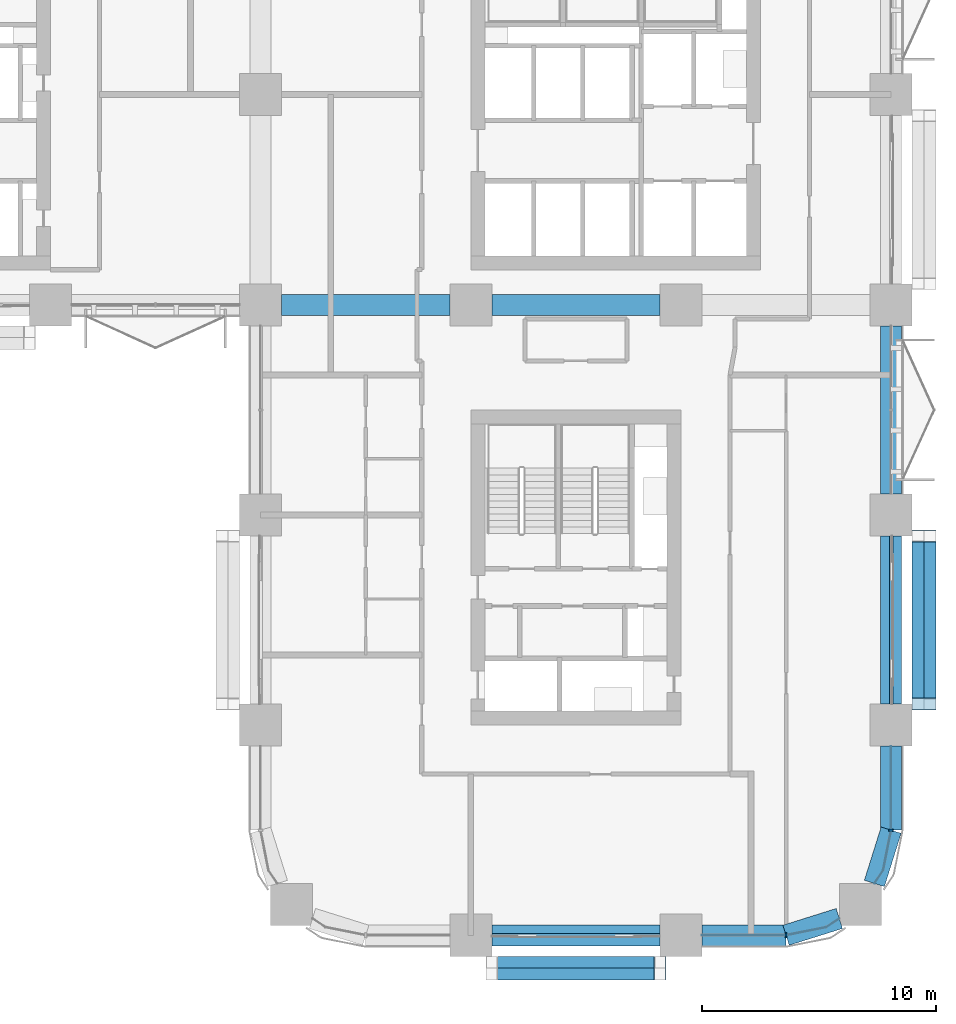
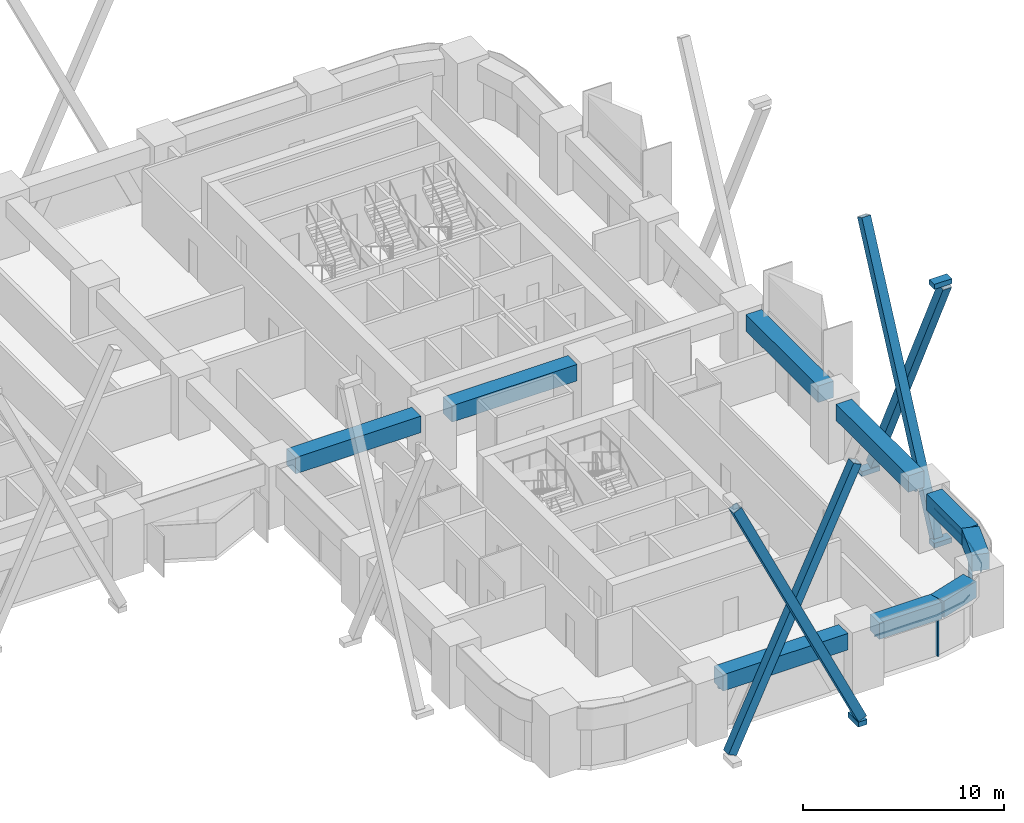
# One storey, part 4 of 19: 14 members, 9 beams, 4 elements without a shape of their own.
"""IFC4 building model written with IfcOpenShell, lengths in metres."""

from ifc_helpers import new_model, si_unit, direction, frame, origin, origin_2d, place, context, subcontext, project, spatial, polyline, rectangle, hollow_rectangle, outline, extrude, material, layer, layer_set, material_profile, profile_set, type_object, element, aggregate, save


model = new_model("IFC4")

# Units and contexts
model_context = context("Model", 3, precision=1e-05, world=origin(), true_north=direction((0.0, 1.0)))
body_context = subcontext(model_context, "Body", "Model", "MODEL_VIEW")
ifc_project = project(units=[si_unit("LENGTHUNIT", "METRE"), si_unit("AREAUNIT", "SQUARE_METRE"), si_unit("VOLUMEUNIT", "CUBIC_METRE"), si_unit("PLANEANGLEUNIT", "RADIAN"), si_unit("MASSUNIT", "GRAM", prefix="KILO")], contexts=[model_context])

# Site, building, storey
site_placement = place(None, origin())
site = spatial("IfcSite", under=ifc_project, at=site_placement, CompositionType="ELEMENT")
building_placement = place(site_placement, origin())
building = spatial("IfcBuilding", under=site, at=building_placement, Name="Tessera Arch", CompositionType="ELEMENT")
storey_placement = place(building_placement, frame((0.0, 0.0, 93.0)))
storey = spatial("IfcBuildingStorey", under=building, at=storey_placement, Name="L21", CompositionType="ELEMENT", Elevation=93.0)

# Members
ifc_material_1 = material(Name="Steel A500 Gr C", Category="steel")
ifc_material_profile_1 = material_profile(ifc_material_1, hollow_rectangle(XDim=0.508056640625, YDim=0.508056640625, WallThickness=0.0146484375, at=origin_2d()), Name="HSS20x20x5/8")
ifc_profile_set_1 = profile_set([ifc_material_profile_1], Name="Steel A500 Gr C")
member_type_1 = type_object("IfcMemberType", Name="Brace HSS20x20x5/8 Steel A500 Gr C", PredefinedType="BRACE", material=ifc_profile_set_1)
for number, where, z_axis, x_axis, name in (
    (1, (36.89990234375, -1.154052734375, -0.800048828125), (0.428096952335, 0.0, 0.903732814167), (0.0, 1.0, 0.0), "Brace S0.27-1 A L21-L24"),
    (2, (44.10009765625, -1.662109375, -0.800048828125), (-0.428096952335, 0.0, 0.903732814167), (0.0, -1.0, 0.0), "Brace S0.27-1 B L21-L24"),
    (3, (55.154052734375, 9.89990234375, -0.800048828125), (0.0, 0.428096952335, 0.903732814167), (-1.0, 0.0, 0.0), "Brace E54.0-1 A L21-L24"),
    (4, (55.662109375, 17.10009765625, -0.800048828125), (0.0, -0.428096952335, 0.903732814167), (1.0, 0.0, 0.0), "Brace E54.0-1 B L21-L24"),
):
    element("IfcMember", number, at=place(storey_placement, frame(where, z_axis=z_axis, x_axis=x_axis)), inside=storey, type_object=member_type_1, Name=name, PredefinedType="BRACE", context=body_context, shape_type="SweptSolid", body=[
        extrude(hollow_rectangle(XDim=0.508056640625, YDim=0.508056640625, WallThickness=0.0146484375, at=origin_2d()), origin(), (0.0, 0.0, 1.0), 16.819091796875),
    ])

# Curtain wall, member
ifc_material_2 = material(Name="CW2 curtain wall")
curtain_wall_type_1 = type_object("IfcCurtainWallType", Name="CW2 curtain wall", PredefinedType="NOTDEFINED", material=ifc_material_2)
curtain_wall_1_placement = place(storey_placement, origin())
curtain_wall_1 = element("IfcCurtainWall", 5, at=curtain_wall_1_placement, inside=storey, type_object=curtain_wall_type_1, Name="CW2 curtain wall S0.27/2 L21", PredefinedType="NOTDEFINED")
ifc_material_3 = material(Name="Anodised aluminium pale metal", Category="aluminium")
ifc_material_profile_2 = material_profile(ifc_material_3, rectangle(XDim=0.199951171875, YDim=0.080078125, at=origin_2d()), Name="AL 80x200")
ifc_profile_set_2 = profile_set([ifc_material_profile_2], Name="Anodised aluminium pale metal")
member_type_2 = type_object("IfcMemberType", Name="CW2 mullion", PredefinedType="MULLION", material=ifc_profile_set_2)
member_1_placement = place(storey_placement, frame((49.5, 0.0, 0.0), z_axis=(0.0, 0.0, 1.0), x_axis=(0.0, 1.0, 0.0)))
member_1 = element("IfcMember", 6, at=member_1_placement, type_object=member_type_2, Name="CW2 mullion S0.27/2 1", PredefinedType="MULLION", context=body_context, shape_type="SweptSolid", body=[
    extrude(rectangle(XDim=0.199951171875, YDim=0.080078125, at=origin_2d()), origin(), (0.0, 0.0, 1.0), 2.39990234375),
])

curtain_wall_2_placement = place(storey_placement, origin())
curtain_wall_2 = element("IfcCurtainWall", 7, at=curtain_wall_2_placement, inside=storey, type_object=curtain_wall_type_1, Name="CW2 curtain wall E54.0/0 L21", PredefinedType="NOTDEFINED")
member_2_placement = place(storey_placement, frame((54.0, 4.5, 0.0), z_axis=(0.0, 0.0, 1.0), x_axis=(-1.0, 0.0, 0.0)))
member_2 = element("IfcMember", 8, at=member_2_placement, type_object=member_type_2, Name="CW2 mullion E54.0/0 1", PredefinedType="MULLION", context=body_context, shape_type="SweptSolid", body=[
    extrude(rectangle(XDim=0.199951171875, YDim=0.080078125, at=origin_2d()), origin(), (0.0, 0.0, 1.0), 2.39990234375),
])

# Member
ifc_material_4 = material(Name="Anodised aluminium pale metal", Category="aluminium")
ifc_material_profile_3 = material_profile(ifc_material_4, rectangle(XDim=0.199951171875, YDim=0.10009765625, at=origin_2d()), Name="AL 200x100")
ifc_profile_set_3 = profile_set([ifc_material_profile_3], Name="Anodised aluminium pale metal")
member_type_3 = type_object("IfcMemberType", Name="CW2 transom", PredefinedType="USERDEFINED", material=ifc_profile_set_3)
member_3_placement = place(storey_placement, frame((0.0, 0.0, 2.39990234375)))
member_3 = element("IfcMember", 9, at=member_3_placement, type_object=member_type_3, Name="CW2 transom S0.27/2 1", ObjectType="TRANSOM", PredefinedType="USERDEFINED", context=body_context, shape_type="SweptSolid", body=[
    extrude(outline(polyline([(49.4990234375, 0.010009765625), (45.89990234375, 0.010009765625), (45.89990234375, -0.010009765625), (49.5009765625, -0.010009765625), (51.22607421875, 0.3330078125), (51.78759765625, 0.70849609375), (51.7763671875, 0.72509765625), (51.21826171875, 0.351806640625), (49.4990234375, 0.010009765625)])), origin(), (0.0, 0.0, 1.0), 0.10009765625),
])

aggregate(curtain_wall_1, [member_1, member_3])

member_4_placement = place(storey_placement, frame((0.0, 0.0, 2.39990234375)))
member_4 = element("IfcMember", 10, at=member_4_placement, type_object=member_type_3, Name="CW2 transom E54.0/0 1", ObjectType="TRANSOM", PredefinedType="USERDEFINED", context=body_context, shape_type="SweptSolid", body=[
    extrude(outline(polyline([(53.648193359375, 2.78173828125), (53.27490234375, 2.2236328125), (53.29150390625, 2.21240234375), (53.6669921875, 2.77392578125), (54.010009765625, 4.4990234375), (54.010009765625, 8.10009765625), (53.989990234375, 8.10009765625), (53.989990234375, 4.5009765625), (53.648193359375, 2.78173828125)])), origin(), (0.0, 0.0, 1.0), 0.10009765625),
])

aggregate(curtain_wall_2, [member_2, member_4])

# Curtain wall, member
ifc_material_5 = material(Name="CW3 curtain wall")
curtain_wall_type_2 = type_object("IfcCurtainWallType", Name="CW3 curtain wall", PredefinedType="NOTDEFINED", material=ifc_material_5)
curtain_wall_3_placement = place(storey_placement, origin())
curtain_wall_3 = element("IfcCurtainWall", 11, at=curtain_wall_3_placement, inside=storey, type_object=curtain_wall_type_2, Name="CW3 curtain wall S0.27/1 L21", PredefinedType="NOTDEFINED")
ifc_material_6 = material(Name="Anodised aluminium pale metal", Category="aluminium")
ifc_material_profile_4 = material_profile(ifc_material_6, rectangle(XDim=0.139892578125, YDim=0.10009765625, at=origin_2d()), Name="AL 140x100")
ifc_profile_set_4 = profile_set([ifc_material_profile_4], Name="Anodised aluminium pale metal")
member_type_4 = type_object("IfcMemberType", Name="CW3 transom", PredefinedType="USERDEFINED", material=ifc_profile_set_4)
member_5_placement = place(storey_placement, frame((36.89990234375, 0.0, 2.449951171875), z_axis=(1.0, 0.0, 0.0), x_axis=(0.0, 1.0, 0.0)))
member_5 = element("IfcMember", 12, at=member_5_placement, type_object=member_type_4, Name="CW3 transom S0.27/1 1.1", ObjectType="TRANSOM", PredefinedType="USERDEFINED", context=body_context, shape_type="SweptSolid", body=[
    extrude(rectangle(XDim=0.139892578125, YDim=0.10009765625, at=origin_2d()), origin(), (0.0, 0.0, 1.0), 7.2001953125),
])
aggregate(curtain_wall_3, [member_5])

curtain_wall_4_placement = place(storey_placement, origin())
curtain_wall_4 = element("IfcCurtainWall", 13, at=curtain_wall_4_placement, inside=storey, type_object=curtain_wall_type_2, Name="CW3 curtain wall E54.0/1 L21", PredefinedType="NOTDEFINED")
member_6_placement = place(storey_placement, frame((54.0, 9.89990234375, 2.449951171875), z_axis=(0.0, 1.0, 0.0), x_axis=(-1.0, 0.0, 0.0)))
member_6 = element("IfcMember", 14, at=member_6_placement, type_object=member_type_4, Name="CW3 transom E54.0/1 1.1", ObjectType="TRANSOM", PredefinedType="USERDEFINED", context=body_context, shape_type="SweptSolid", body=[
    extrude(rectangle(XDim=0.139892578125, YDim=0.10009765625, at=origin_2d()), origin(), (0.0, 0.0, 1.0), 7.2001953125),
])
aggregate(curtain_wall_4, [member_6])

# Members
ifc_material_7 = material(Name="Steel A572 Gr50", Category="steel")
ifc_layer = layer(ifc_material_7, 0.050048828125)
ifc_layer_set = layer_set([ifc_layer], Name="Node block Steel A572 Gr50")
member_type_5 = type_object("IfcMemberType", Name="Node block Steel A572 Gr50", PredefinedType="PLATE", material=ifc_layer_set)
for number, where, z_axis, x_axis, name in (
    (15, (44.10009765625, -1.407958984375, -1.2314453125), (0.0, 0.0, 1.0), (1.0, 0.0, 0.0), "Node block seat S0.27-1 1 L21"),
    (16, (55.407958984375, 17.10009765625, -1.2314453125), (0.0, 0.0, 1.0), (0.0, 1.0, 0.0), "Node block seat E54.0-1 1 L21"),
    (17, (55.407958984375, 9.89990234375, -1.2314453125), (0.0, 0.0, 1.0), (0.0, 1.0, 0.0), "Node block seat E54.0-1 2 L21"),
    (18, (55.407958984375, 9.89990234375, 14.53125), (0.0, 0.0, 1.0), (0.0, 1.0, 0.0), "Node block head E54.0-1 B L21"),
):
    element("IfcMember", number, at=place(storey_placement, frame(where, z_axis=z_axis, x_axis=x_axis)), inside=storey, type_object=member_type_5, Name=name, PredefinedType="PLATE", context=body_context, shape_type="SweptSolid", body=[
        extrude(rectangle(XDim=0.508056640625, YDim=1.01611328125, at=origin_2d()), origin(), (0.0, 0.0, 1.0), 0.300048828125),
    ])

# Beams
ifc_material_8 = material(Name="Concrete C80/95", Category="concrete")
ifc_material_profile_5 = material_profile(ifc_material_8, rectangle(XDim=0.89990234375, YDim=1.0, at=origin_2d()), Name="RC spandrel beam 900 x 1000 Concrete C80/95")
ifc_profile_set_5 = profile_set([ifc_material_profile_5], Name="Concrete C80/95")
beam_type = type_object("IfcBeamType", Name="RC spandrel beam 900 x 1000 Concrete C80/95", PredefinedType="BEAM", material=ifc_profile_set_5)
beam_1_placement = place(storey_placement, frame((36.89990234375, 0.0, 3.0), z_axis=(1.0, 0.0, 0.0), x_axis=(0.0, 1.0, 0.0)))
element("IfcBeam", 19, at=beam_1_placement, inside=storey, type_object=beam_type, Name="Spandrel beam L21 S0.27/1", PredefinedType="BEAM", context=body_context, shape_type="SweptSolid", body=[
    extrude(rectangle(XDim=0.89990234375, YDim=1.0, at=origin_2d()), origin(), (0.0, 0.0, 1.0), 7.2001953125),
])
beam_2_placement = place(storey_placement, frame((45.89990234375, 0.0, 3.0), z_axis=(1.0, 0.0, 0.0), x_axis=(0.0, 1.0, 0.0)))
element("IfcBeam", 20, at=beam_2_placement, inside=storey, type_object=beam_type, Name="Spandrel beam L21 S0.27/2.1", PredefinedType="BEAM", context=body_context, shape_type="SweptSolid", body=[
    extrude(rectangle(XDim=0.89990234375, YDim=1.0, at=origin_2d()), origin(), (0.0, 0.0, 1.0), 3.60009765625),
])
for number, where, z_axis, x_axis, name in (
    (21, (49.5, 0.0, 3.0), (0.954041251279, 0.299675309057, 0.0), (-0.299675309057, 0.954041251279, 0.0), "Spandrel beam L21 S0.27/2.2"),
    (22, (53.283203125, 2.218017578125, 3.0), (0.299675309057, 0.954041251279, 0.0), (-0.954041251279, 0.299675309057, 0.0), "Spandrel beam L21 E54.0/0.1"),
):
    element("IfcBeam", number, at=place(storey_placement, frame(where, z_axis=z_axis, x_axis=x_axis)), inside=storey, type_object=beam_type, Name=name, PredefinedType="BEAM", context=body_context, shape_type="SweptSolid", body=[
        extrude(rectangle(XDim=0.89990234375, YDim=1.0, at=origin_2d()), origin(), (0.0, 0.0, 1.0), 2.391845703125),
    ])
beam_3_placement = place(storey_placement, frame((54.0, 4.5, 3.0), z_axis=(0.0, 1.0, 0.0), x_axis=(-1.0, 0.0, 0.0)))
element("IfcBeam", 23, at=beam_3_placement, inside=storey, type_object=beam_type, Name="Spandrel beam L21 E54.0/0.2", PredefinedType="BEAM", context=body_context, shape_type="SweptSolid", body=[
    extrude(rectangle(XDim=0.89990234375, YDim=1.0, at=origin_2d()), origin(), (0.0, 0.0, 1.0), 3.60009765625),
])
for number, where, z_axis, x_axis, name in (
    (24, (54.0, 9.89990234375, 3.0), (0.0, 1.0, 0.0), (-1.0, 0.0, 0.0), "Spandrel beam L21 E54.0/1"),
    (25, (54.0, 18.89990234375, 3.0), (0.0, 1.0, 0.0), (-1.0, 0.0, 0.0), "Spandrel beam L21 E54.0/2"),
    (26, (27.89990234375, 27.0, 3.0), (1.0, 0.0, 0.0), (0.0, 1.0, 0.0), "Interface beam L21 I1C4D-C5D"),
    (27, (36.89990234375, 27.0, 3.0), (1.0, 0.0, 0.0), (0.0, 1.0, 0.0), "Interface beam L21 I1C5D-C6D"),
):
    element("IfcBeam", number, at=place(storey_placement, frame(where, z_axis=z_axis, x_axis=x_axis)), inside=storey, type_object=beam_type, Name=name, PredefinedType="BEAM", context=body_context, shape_type="SweptSolid", body=[
        extrude(rectangle(XDim=0.89990234375, YDim=1.0, at=origin_2d()), origin(), (0.0, 0.0, 1.0), 7.2001953125),
    ])

save(model, "model.ifc")
